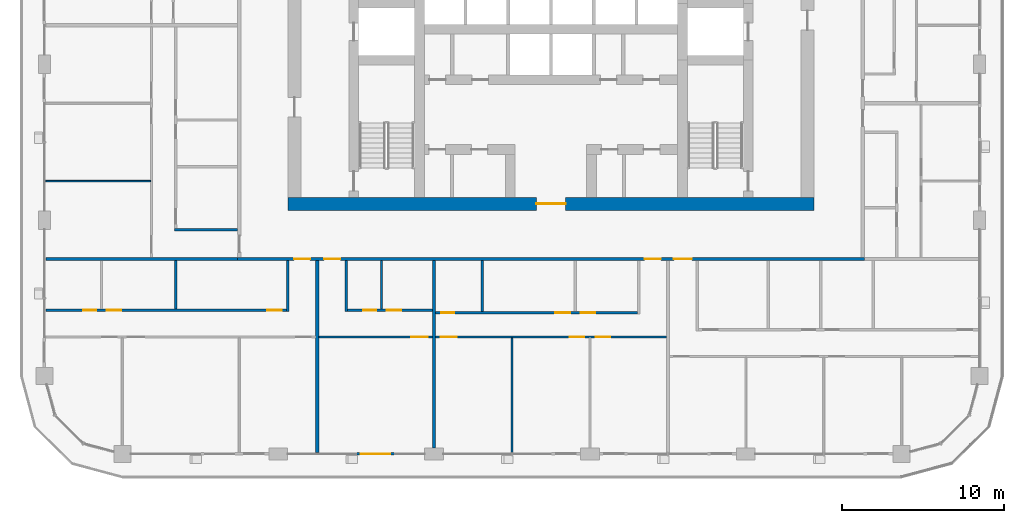
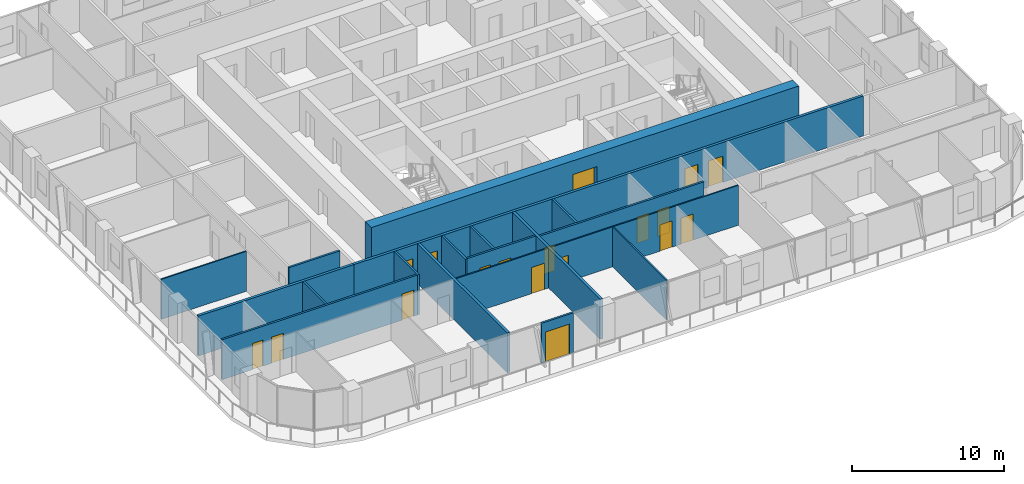
# One storey, part 9 of 22: 19 walls, 18 doors, 18 openings.
"""IFC4 building model written with IfcOpenShell, lengths in metres."""

import ifcopenshell
import ifcopenshell.guid

model = None  # the IFC model being written
_history = None  # IfcOwnerHistory: only IFC2X3 demands one
_inside = {}  # id of a spatial element -> (the spatial element, [elements in it])
_under = {}  # id of a project, library or spatial element -> (it, [spatial elements below it])
_declared = {}  # id of a project -> (the project, [libraries it declares])
_typed = {}  # id of a type object -> (the type object, [elements of that type])
_made_of = {}  # id of a material, layer set ... -> (it, [elements and type objects made of it])


def new_model(schema):
    """Start an empty IFC model of exactly this schema.

    Asked for "IFC4X3", IfcOpenShell would pick the latest addendum, in which some entities
    have other attributes; the version numbers below select the first issue.
    IFC2X3 requires an IfcOwnerHistory on every rooted entity: one is made here for all.
    """
    global model, _history
    if schema == "IFC4X3":
        model = ifcopenshell.file(schema_version=(4, 3, 0, 0))
    else:
        model = ifcopenshell.file(schema=schema)
    _inside.clear()
    _under.clear()
    _declared.clear()
    _typed.clear()
    _made_of.clear()
    _history = None
    if model.schema == "IFC2X3":
        org = make("IfcOrganization", Name="unknown")
        user = make(
            "IfcPersonAndOrganization",
            ThePerson=make("IfcPerson", FamilyName="unknown"),
            TheOrganization=org,
        )
        app = make(
            "IfcApplication",
            ApplicationDeveloper=org,
            Version="unknown",
            ApplicationFullName="unknown",
            ApplicationIdentifier="unknown",
        )
        _history = make(
            "IfcOwnerHistory",
            OwningUser=user,
            OwningApplication=app,
            ChangeAction="ADDED",
            CreationDate=0,
        )
    return model


def make(cls, **values):
    """One entity of the class cls with the attributes given. An attribute that is None is left unset."""
    return model.create_entity(
        cls, **{name: value for name, value in values.items() if value is not None}
    )


def rooted(cls, **values):
    """An entity with a GlobalId (a new one), such as an element, a storey or a relation."""
    return make(cls, GlobalId=ifcopenshell.guid.new(), OwnerHistory=_history, **values)


def si_unit(unit_type, name, prefix=None):
    """IfcSIUnit, for example si_unit("LENGTHUNIT", "METRE", prefix="MILLI")."""
    return make("IfcSIUnit", UnitType=unit_type, Prefix=prefix, Name=name)


def assignment(units):
    """IfcUnitAssignment: the units of a project."""
    return None if units is None else make("IfcUnitAssignment", Units=units)


def point(xyz):
    """IfcCartesianPoint."""
    return None if xyz is None else make("IfcCartesianPoint", Coordinates=xyz)


def direction(xyz):
    """IfcDirection."""
    return None if xyz is None else make("IfcDirection", DirectionRatios=xyz)


def frame(location, z_axis=None, x_axis=None):
    """IfcAxis2Placement3D, a coordinate frame: its origin and axes. An axis left out is left unset."""
    return make(
        "IfcAxis2Placement3D",
        Location=point(location),
        Axis=direction(z_axis),
        RefDirection=direction(x_axis),
    )


def frame_2d(location, x_axis=None):
    """IfcAxis2Placement2D, a coordinate frame in the plane: its origin and x axis."""
    return make(
        "IfcAxis2Placement2D", Location=point(location), RefDirection=direction(x_axis)
    )


def origin():
    """The frame at (0, 0, 0) with its axes left unset."""
    return frame((0.0, 0.0, 0.0))


def place(relative_to, where):
    """IfcLocalPlacement: puts the frame where relative to a parent placement (None: the world)."""
    return make(
        "IfcLocalPlacement", PlacementRelTo=relative_to, RelativePlacement=where
    )


def context(
    kind, dimensions, precision=None, world=None, true_north=None, identifier=None
):
    """IfcGeometricRepresentationContext, for example the 3D "Model" context."""
    return make(
        "IfcGeometricRepresentationContext",
        ContextIdentifier=identifier,
        ContextType=kind,
        CoordinateSpaceDimension=dimensions,
        Precision=precision,
        WorldCoordinateSystem=world,
        TrueNorth=true_north,
    )


def subcontext(parent, identifier, kind, view, scale=None):
    """IfcGeometricRepresentationSubContext, for example "Body" below "Model"."""
    return make(
        "IfcGeometricRepresentationSubContext",
        ContextIdentifier=identifier,
        ContextType=kind,
        ParentContext=parent,
        TargetScale=scale,
        TargetView=view,
    )


def project(units=None, contexts=None):
    """IfcProject with its units and contexts."""
    return rooted(
        "IfcProject",
        Name="project",
        RepresentationContexts=contexts,
        UnitsInContext=assignment(units),
    )


def spatial(cls, under=None, at=None, **own):
    """A site, building, storey or space (cls), placed at a placement, below another one or the project."""
    s = rooted(cls, ObjectPlacement=at, **own)
    if under is not None:
        _under.setdefault(under.id(), (under, []))[1].append(s)
    return s


def profile(cls, at=None, kind="AREA", **sizes):
    """A parametric profile (cls). Its sizes go by their IFC names, for example OverallWidth=200.0."""
    return make(cls, ProfileType=kind, Position=at, **sizes)


def rectangle(**sizes):
    """IfcRectangleProfileDef."""
    return profile("IfcRectangleProfileDef", **sizes)


def extrude(swept, where, along, depth):
    """IfcExtrudedAreaSolid: the profile swept, set in the frame where, extruded along a direction by depth."""
    return make(
        "IfcExtrudedAreaSolid",
        SweptArea=swept,
        Position=where,
        ExtrudedDirection=direction(along),
        Depth=depth,
    )


def shape(context_of_items, identifier, shape_type, items):
    """IfcShapeRepresentation: the items that make up one representation, for example the "Body"."""
    return make(
        "IfcShapeRepresentation",
        ContextOfItems=context_of_items,
        RepresentationIdentifier=identifier,
        RepresentationType=shape_type,
        Items=items,
    )


def material(Name=None, Category=None):
    """IfcMaterial."""
    return make("IfcMaterial", Name=Name, Category=Category)


def layer(
    of_material, thickness, ventilated=None, Name=None, Category=None, Priority=None
):
    """IfcMaterialLayer: one layer of a wall or slab, of a material (None: an air gap)."""
    return make(
        "IfcMaterialLayer",
        Material=of_material,
        LayerThickness=thickness,
        IsVentilated=ventilated,
        Name=Name,
        Category=Category,
        Priority=Priority,
    )


def layer_set(layers, Name=None):
    """IfcMaterialLayerSet."""
    return make("IfcMaterialLayerSet", MaterialLayers=layers, LayerSetName=Name)


def made_of(thing, what):
    """Note that an element or type object is made of a material, layer set ...; save() writes the relation."""
    if what is not None:
        _made_of.setdefault(what.id(), (what, []))[1].append(thing)
    return thing


def type_object(cls, material=None, **own):
    """A type object (cls), such as IfcWallType, which elements share."""
    return made_of(rooted(cls, **own), material)


def element(
    cls,
    number,
    at=None,
    inside=None,
    cuts=None,
    type_object=None,
    material=None,
    context=None,
    identifier="Body",
    shape_type=None,
    held_by="IfcProductDefinitionShape",
    body=None,
    shapes=None,
    **own,
):
    """One element of the class cls, such as IfcWall. Its Tag is "e" and its number.

    at: its placement. inside: the storey or other place that contains it. cuts: it is an
    opening in that element (IfcRelVoidsElement). A single representation is given by context,
    identifier, shape_type and body (its items); several are given by shapes. held_by: the class
    of the entity that holds the representations. save() writes the other relations.
    """
    e = rooted(cls, Tag="e%d" % number, ObjectPlacement=at, **own)
    if body is not None:
        shapes = [shape(context, identifier, shape_type, body)]
    if shapes is not None:
        e.Representation = make(held_by, Representations=shapes)
    if inside is not None:
        _inside.setdefault(inside.id(), (inside, []))[1].append(e)
    if cuts is not None:
        rooted(
            "IfcRelVoidsElement", RelatingBuildingElement=cuts, RelatedOpeningElement=e
        )
    if type_object is not None:
        _typed.setdefault(type_object.id(), (type_object, []))[1].append(e)
    return made_of(e, material)


def fill(opening, filler):
    """IfcRelFillsElement: the door or window that sits in an opening."""
    return rooted(
        "IfcRelFillsElement",
        RelatingOpeningElement=opening,
        RelatedBuildingElement=filler,
    )


def aggregate(whole, parts):
    """IfcRelAggregates: a whole, such as a stair, and the parts it consists of."""
    return rooted("IfcRelAggregates", RelatingObject=whole, RelatedObjects=parts)


def save(model, path):
    """Write the relations noted so far, then the file.

    IfcRelAggregates (storeys below a building ...), IfcRelContainedInSpatialStructure (elements
    in a storey), IfcRelDefinesByType, IfcRelAssociatesMaterial and IfcRelDeclares: one each for
    every whole, place, type object, material and project.
    """
    for whole, parts in _under.values():
        aggregate(whole, parts)
    for where, things in _inside.values():
        rooted(
            "IfcRelContainedInSpatialStructure",
            RelatedElements=things,
            RelatingStructure=where,
        )
    for kind, things in _typed.values():
        rooted("IfcRelDefinesByType", RelatedObjects=things, RelatingType=kind)
    for what, things in _made_of.values():
        rooted("IfcRelAssociatesMaterial", RelatedObjects=things, RelatingMaterial=what)
    for by, libraries in _declared.values():
        rooted("IfcRelDeclares", RelatingContext=by, RelatedDefinitions=libraries)
    model.write(path)


model = new_model("IFC4")

# Units and contexts
model_context = context("Model", 3, precision=1e-05, world=origin(), true_north=direction((0.0, 1.0)))
body_context = subcontext(model_context, "Body", "Model", "MODEL_VIEW")
ifc_project = project(units=[si_unit("LENGTHUNIT", "METRE"), si_unit("AREAUNIT", "SQUARE_METRE"), si_unit("VOLUMEUNIT", "CUBIC_METRE"), si_unit("PLANEANGLEUNIT", "RADIAN"), si_unit("MASSUNIT", "GRAM", prefix="KILO")], contexts=[model_context])

# Site, building, storey
site_placement = place(None, origin())
site = spatial("IfcSite", under=ifc_project, at=site_placement, CompositionType="ELEMENT")
building_placement = place(site_placement, origin())
building = spatial("IfcBuilding", under=site, at=building_placement, Name="Madar Terraces", CompositionType="ELEMENT")
storey_placement = place(building_placement, frame((0.0, 0.0, 166.5)))
storey = spatial("IfcBuildingStorey", under=building, at=storey_placement, Name="L43", CompositionType="ELEMENT", Elevation=166.5)

# Wall, opening, door
ifc_material_1 = material(Name="Concrete C70/85", Category="concrete")
ifc_layer_1 = layer(ifc_material_1, 0.800048828125)
ifc_layer_set_1 = layer_set([ifc_layer_1], Name="Concrete C70/85 (CRW3 RC wall 800)")
wall_type_1 = type_object("IfcWallType", Name="CRW3 RC wall 800", PredefinedType="SHEAR", material=ifc_layer_set_1)
wall_1_placement = place(storey_placement, frame((15.0, 15.39990234375, 0.0), z_axis=(0.0, 0.0, 1.0), x_axis=(1.0, 0.0, 0.0)))
wall_1 = element("IfcWall", 1, at=wall_1_placement, inside=storey, type_object=wall_type_1, Name="CORE OUTER WALL", PredefinedType="SHEAR", context=body_context, shape_type="SweptSolid", body=[
    extrude(rectangle(XDim=32.39990234375, YDim=0.800048828125, at=frame_2d((16.199951171875, 0.0))), origin(), (0.0, 0.0, 1.0), 3.199951171875),
])
opening_1_placement = place(wall_1_placement, frame((15.300048828125, 0.0, 0.0)))
opening_1 = element("IfcOpeningElement", 2, at=opening_1_placement, cuts=wall_1, Name="Opening KD1", PredefinedType="OPENING", context=body_context, shape_type="SweptSolid", body=[
    extrude(rectangle(XDim=1.800048828125, YDim=2.10009765625, at=frame_2d((0.89990234375, 1.050048828125))), frame((0.0, 0.409912109375, 0.0), z_axis=(0.0, -1.0, 0.0), x_axis=(1.0, 0.0, 0.0)), (0.0, 0.0, 1.0), 0.820068359375),
])
ifc_material_2 = material(Name="Steel door leaf", Category="steel")
door_type_1 = type_object("IfcDoorType", Name="Lobby door pair 1800 x 2100", OperationType="DOUBLE_DOOR_SINGLE_SWING", PredefinedType="DOOR", material=ifc_material_2)
door_1_placement = place(opening_1_placement, frame((1.800048828125, 0.0, 0.0), z_axis=(0.0, 0.0, 1.0), x_axis=(-1.0, 0.0, 0.0)))
door_1 = element("IfcDoor", 3, at=door_1_placement, inside=storey, type_object=door_type_1, Name="LIFT LOBBY DOOR", OperationType="DOUBLE_DOOR_SINGLE_SWING", OverallHeight=2.10009765625, OverallWidth=1.800048828125, PredefinedType="DOOR", context=body_context, shape_type="SweptSolid", body=[
    extrude(rectangle(XDim=1.800048828125, YDim=2.10009765625, at=frame_2d((0.89990234375, 1.050048828125))), frame((0.0, 0.02490234375, 0.0), z_axis=(0.0, -1.0, 0.0), x_axis=(1.0, 0.0, 0.0)), (0.0, 0.0, 1.0), 0.050048828125),
])
fill(opening_1, door_1)

ifc_material_3 = material(Name="Aluminium composite panel, black, over insulated backing", Category="aluminium")
ifc_layer_2 = layer(ifc_material_3, 0.14990234375)
ifc_layer_set_2 = layer_set([ifc_layer_2], Name="Facade bay panel 150")
wall_type_2 = type_object("IfcWallType", Name="Facade bay panel 150", PredefinedType="SOLIDWALL", material=ifc_layer_set_2)
wall_2_placement = place(storey_placement, frame((19.199951171875, 0.0, 0.0), z_axis=(0.0, 0.0, 1.0), x_axis=(1.0, 0.0, 0.0)))
wall_2 = element("IfcWall", 4, at=wall_2_placement, inside=storey, type_object=wall_type_2, Name="Facade bay panel", PredefinedType="SOLIDWALL", context=body_context, shape_type="SweptSolid", body=[
    extrude(rectangle(XDim=2.400146484375, YDim=0.14990234375, at=frame_2d((1.2001953125, 0.0))), origin(), (0.0, 0.0, 1.0), 3.199951171875),
])
opening_2_placement = place(wall_2_placement, frame((0.300048828125, 0.0, 0.0)))
opening_2 = element("IfcOpeningElement", 5, at=opening_2_placement, cuts=wall_2, Name="Opening ED1", PredefinedType="OPENING", context=body_context, shape_type="SweptSolid", body=[
    extrude(rectangle(XDim=1.800048828125, YDim=2.39990234375, at=frame_2d((0.89990234375, 1.199951171875))), frame((0.0, 0.0849609375, 0.0), z_axis=(0.0, -1.0, 0.0), x_axis=(1.0, 0.0, 0.0)), (0.0, 0.0, 1.0), 0.169921875),
])
ifc_material_4 = material(Name="Glass, clear, with black aluminium frame", Category="aluminium")
door_type_2 = type_object("IfcDoorType", Name="Balcony and terrace sliding door 1800 x 2400", OperationType="SLIDING_TO_LEFT", PredefinedType="DOOR", material=ifc_material_4)
door_2_placement = place(opening_2_placement, origin())
door_2 = element("IfcDoor", 6, at=door_2_placement, inside=storey, type_object=door_type_2, Name="Balcony door", OperationType="SLIDING_TO_RIGHT", OverallHeight=2.39990234375, OverallWidth=1.800048828125, PredefinedType="DOOR", context=body_context, shape_type="SweptSolid", body=[
    extrude(rectangle(XDim=1.800048828125, YDim=2.39990234375, at=frame_2d((0.89990234375, 1.199951171875))), frame((0.0, 0.02490234375, 0.0), z_axis=(0.0, -1.0, 0.0), x_axis=(1.0, 0.0, 0.0)), (0.0, 0.0, 1.0), 0.050048828125),
])
fill(opening_2, door_2)

ifc_material_5 = material(Name="Gypsum board on steel studs", Category="steel")
ifc_layer_3 = layer(ifc_material_5, 0.10009765625)
ifc_layer_set_3 = layer_set([ifc_layer_3], Name="Flat partition 100")
wall_type_3 = type_object("IfcWallType", Name="Flat partition 100", PredefinedType="PARTITIONING", material=ifc_layer_set_3)
wall_3_placement = place(storey_placement, frame((23.89990234375, 7.199951171875, 0.0), z_axis=(0.0, 0.0, 1.0), x_axis=(-1.0, 0.0, 0.0)))
wall_3 = element("IfcWall", 7, at=wall_3_placement, inside=storey, type_object=wall_type_3, Name="Flat partition 100", PredefinedType="PARTITIONING", context=body_context, shape_type="SweptSolid", body=[
    extrude(rectangle(XDim=7.0, YDim=0.10009765625, at=frame_2d((3.5, 0.0))), origin(), (0.0, 0.0, 1.0), 3.199951171875),
])
opening_3_placement = place(wall_3_placement, frame((0.300048828125, 0.0, 0.0)))
opening_3 = element("IfcOpeningElement", 8, at=opening_3_placement, cuts=wall_3, Name="Opening D3", PredefinedType="OPENING", context=body_context, shape_type="SweptSolid", body=[
    extrude(rectangle(XDim=1.0, YDim=2.10009765625, at=frame_2d((0.5, 1.050048828125))), frame((0.0, 0.06005859375, 0.0), z_axis=(0.0, -1.0, 0.0), x_axis=(1.0, 0.0, 0.0)), (0.0, 0.0, 1.0), 0.1201171875),
])
ifc_material_6 = material(Name="Timber door leaf", Category="wood")
door_type_3 = type_object("IfcDoorType", Name="Flat living room door 1000", OperationType="NOTDEFINED", PredefinedType="DOOR", material=ifc_material_6)
door_3_placement = place(opening_3_placement, origin())
door_3 = element("IfcDoor", 9, at=door_3_placement, inside=storey, type_object=door_type_3, Name="Flat living room door 1000", OperationType="SINGLE_SWING_LEFT", OverallHeight=2.10009765625, OverallWidth=1.0, PredefinedType="DOOR", context=body_context, shape_type="SweptSolid", body=[
    extrude(rectangle(XDim=1.0, YDim=2.10009765625, at=frame_2d((0.5, 1.050048828125))), frame((0.0, 0.02490234375, 0.0), z_axis=(0.0, -1.0, 0.0), x_axis=(1.0, 0.0, 0.0)), (0.0, 0.0, 1.0), 0.050048828125),
])
fill(opening_3, door_3)

# Wall
wall_4_placement = place(storey_placement, frame((28.800048828125, 7.14990234375, 0.0), z_axis=(0.0, 0.0, 1.0), x_axis=(0.0, -1.0, 0.0)))
element("IfcWall", 10, at=wall_4_placement, inside=storey, type_object=wall_type_3, Name="Flat partition 100", PredefinedType="PARTITIONING", context=body_context, shape_type="SweptSolid", body=[
    extrude(rectangle(XDim=7.0498046875, YDim=0.10009765625, at=frame_2d((3.52490234375, 0.0))), origin(), (0.0, 0.0, 1.0), 3.199951171875),
])

# Wall, openings, doors
wall_5_placement = place(storey_placement, frame((38.300048828125, 7.199951171875, 0.0), z_axis=(0.0, 0.0, 1.0), x_axis=(-1.0, 0.0, 0.0)))
wall_5 = element("IfcWall", 11, at=wall_5_placement, inside=storey, type_object=wall_type_3, Name="Flat partition 100", PredefinedType="PARTITIONING", context=body_context, shape_type="SweptSolid", body=[
    extrude(rectangle(XDim=14.199951171875, YDim=0.10009765625, at=frame_2d((7.10009765625, 0.0))), origin(), (0.0, 0.0, 1.0), 3.199951171875),
])
opening_4_placement = place(wall_5_placement, frame((3.449951171875, 0.0, 0.0)))
opening_4 = element("IfcOpeningElement", 12, at=opening_4_placement, cuts=wall_5, Name="Opening D2", PredefinedType="OPENING", context=body_context, shape_type="SweptSolid", body=[
    extrude(rectangle(XDim=0.89990234375, YDim=2.10009765625, at=frame_2d((0.449951171875, 1.050048828125))), frame((0.0, 0.06005859375, 0.0), z_axis=(0.0, -1.0, 0.0), x_axis=(1.0, 0.0, 0.0)), (0.0, 0.0, 1.0), 0.1201171875),
])
opening_5_placement = place(wall_5_placement, frame((5.050048828125, 0.0, 0.0)))
opening_5 = element("IfcOpeningElement", 13, at=opening_5_placement, cuts=wall_5, Name="Opening D2", PredefinedType="OPENING", context=body_context, shape_type="SweptSolid", body=[
    extrude(rectangle(XDim=0.89990234375, YDim=2.10009765625, at=frame_2d((0.449951171875, 1.050048828125))), frame((0.0, 0.06005859375, 0.0), z_axis=(0.0, -1.0, 0.0), x_axis=(1.0, 0.0, 0.0)), (0.0, 0.0, 1.0), 0.1201171875),
])
opening_6_placement = place(wall_5_placement, frame((12.89990234375, 0.0, 0.0)))
opening_6 = element("IfcOpeningElement", 14, at=opening_6_placement, cuts=wall_5, Name="Opening D3", PredefinedType="OPENING", context=body_context, shape_type="SweptSolid", body=[
    extrude(rectangle(XDim=1.0, YDim=2.10009765625, at=frame_2d((0.5, 1.050048828125))), frame((0.0, 0.06005859375, 0.0), z_axis=(0.0, -1.0, 0.0), x_axis=(1.0, 0.0, 0.0)), (0.0, 0.0, 1.0), 0.1201171875),
])
door_4_placement = place(opening_6_placement, origin())
door_4 = element("IfcDoor", 15, at=door_4_placement, inside=storey, type_object=door_type_3, Name="Flat living room door 1000", OperationType="SINGLE_SWING_RIGHT", OverallHeight=2.10009765625, OverallWidth=1.0, PredefinedType="DOOR", context=body_context, shape_type="SweptSolid", body=[
    extrude(rectangle(XDim=1.0, YDim=2.10009765625, at=frame_2d((0.5, 1.050048828125))), frame((0.0, 0.02490234375, 0.0), z_axis=(0.0, -1.0, 0.0), x_axis=(1.0, 0.0, 0.0)), (0.0, 0.0, 1.0), 0.050048828125),
])
fill(opening_6, door_4)
ifc_material_7 = material(Name="Timber door leaf", Category="wood")
door_type_4 = type_object("IfcDoorType", Name="Flat room door 900", OperationType="NOTDEFINED", PredefinedType="DOOR", material=ifc_material_7)
door_5_placement = place(opening_4_placement, origin())
door_5 = element("IfcDoor", 16, at=door_5_placement, inside=storey, type_object=door_type_4, Name="Flat room door 900", OperationType="SINGLE_SWING_RIGHT", OverallHeight=2.10009765625, OverallWidth=0.89990234375, PredefinedType="DOOR", context=body_context, shape_type="SweptSolid", body=[
    extrude(rectangle(XDim=0.89990234375, YDim=2.10009765625, at=frame_2d((0.449951171875, 1.050048828125))), frame((0.0, 0.02490234375, 0.0), z_axis=(0.0, -1.0, 0.0), x_axis=(1.0, 0.0, 0.0)), (0.0, 0.0, 1.0), 0.050048828125),
])
fill(opening_4, door_5)
door_6_placement = place(opening_5_placement, origin())
door_6 = element("IfcDoor", 17, at=door_6_placement, inside=storey, type_object=door_type_4, Name="Flat room door 900", OperationType="SINGLE_SWING_LEFT", OverallHeight=2.10009765625, OverallWidth=0.89990234375, PredefinedType="DOOR", context=body_context, shape_type="SweptSolid", body=[
    extrude(rectangle(XDim=0.89990234375, YDim=2.10009765625, at=frame_2d((0.449951171875, 1.050048828125))), frame((0.0, 0.02490234375, 0.0), z_axis=(0.0, -1.0, 0.0), x_axis=(1.0, 0.0, 0.0)), (0.0, 0.0, 1.0), 0.050048828125),
])
fill(opening_5, door_6)

# Wall
wall_6_placement = place(storey_placement, frame((6.550048828125, 16.800048828125, 0.0), z_axis=(0.0, 0.0, 1.0), x_axis=(-1.0, 0.0, 0.0)))
element("IfcWall", 18, at=wall_6_placement, inside=storey, type_object=wall_type_3, Name="Flat partition 100", PredefinedType="PARTITIONING", context=body_context, shape_type="SweptSolid", body=[
    extrude(rectangle(XDim=6.449951171875, YDim=0.10009765625, at=frame_2d((3.22509765625, 0.0))), origin(), (0.0, 0.0, 1.0), 3.199951171875),
])

# Wall, openings, doors
ifc_material_8 = material(Name="Lightweight blockwork", Category="masonry")
ifc_layer_4 = layer(ifc_material_8, 0.199951171875)
ifc_layer_set_4 = layer_set([ifc_layer_4], Name="Flat party and entrance wall 200")
wall_type_4 = type_object("IfcWallType", Name="Flat party and entrance wall 200", PredefinedType="PARTITIONING", material=ifc_layer_set_4)
wall_7_placement = place(storey_placement, frame((50.5, 12.0, 0.0), z_axis=(0.0, 0.0, 1.0), x_axis=(-1.0, 0.0, 0.0)))
wall_7 = element("IfcWall", 19, at=wall_7_placement, inside=storey, type_object=wall_type_4, Name="Flat party and entrance wall 200", PredefinedType="PARTITIONING", context=body_context, shape_type="SweptSolid", body=[
    extrude(rectangle(XDim=38.60009765625, YDim=0.199951171875, at=frame_2d((19.300048828125, 0.0))), origin(), (0.0, 0.0, 1.0), 3.199951171875),
])
opening_7_placement = place(wall_7_placement, frame((34.125, 0.0, 0.0)))
opening_7 = element("IfcOpeningElement", 20, at=opening_7_placement, cuts=wall_7, Name="Opening D1", PredefinedType="OPENING", context=body_context, shape_type="SweptSolid", body=[
    extrude(rectangle(XDim=1.0, YDim=2.10009765625, at=frame_2d((0.5, 1.050048828125))), frame((0.0, 0.10986328125, 0.0), z_axis=(0.0, -1.0, 0.0), x_axis=(1.0, 0.0, 0.0)), (0.0, 0.0, 1.0), 0.219970703125),
])
opening_8_placement = place(wall_7_placement, frame((32.27490234375, 0.0, 0.0)))
opening_8 = element("IfcOpeningElement", 21, at=opening_8_placement, cuts=wall_7, Name="Opening D1", PredefinedType="OPENING", context=body_context, shape_type="SweptSolid", body=[
    extrude(rectangle(XDim=1.0, YDim=2.10009765625, at=frame_2d((0.5, 1.050048828125))), frame((0.0, 0.10986328125, 0.0), z_axis=(0.0, -1.0, 0.0), x_axis=(1.0, 0.0, 0.0)), (0.0, 0.0, 1.0), 0.219970703125),
])
opening_9_placement = place(wall_7_placement, frame((12.52490234375, 0.0, 0.0)))
opening_9 = element("IfcOpeningElement", 22, at=opening_9_placement, cuts=wall_7, Name="Opening D1", PredefinedType="OPENING", context=body_context, shape_type="SweptSolid", body=[
    extrude(rectangle(XDim=1.0, YDim=2.10009765625, at=frame_2d((0.5, 1.050048828125))), frame((0.0, 0.10986328125, 0.0), z_axis=(0.0, -1.0, 0.0), x_axis=(1.0, 0.0, 0.0)), (0.0, 0.0, 1.0), 0.219970703125),
])
opening_10_placement = place(wall_7_placement, frame((10.625, 0.0, 0.0)))
opening_10 = element("IfcOpeningElement", 23, at=opening_10_placement, cuts=wall_7, Name="Opening D6", PredefinedType="OPENING", context=body_context, shape_type="SweptSolid", body=[
    extrude(rectangle(XDim=1.10009765625, YDim=2.10009765625, at=frame_2d((0.550048828125, 1.050048828125))), frame((0.0, 0.10986328125, 0.0), z_axis=(0.0, -1.0, 0.0), x_axis=(1.0, 0.0, 0.0)), (0.0, 0.0, 1.0), 0.219970703125),
])
ifc_material_9 = material(Name="Timber fire door leaf", Category="wood")
door_type_5 = type_object("IfcDoorType", Name="Flat entrance door 1000 FD30S", OperationType="NOTDEFINED", PredefinedType="DOOR", material=ifc_material_9)
door_7_placement = place(opening_7_placement, origin())
door_7 = element("IfcDoor", 24, at=door_7_placement, inside=storey, type_object=door_type_5, Name="Flat entrance door 1000 FD30S", OperationType="SINGLE_SWING_LEFT", OverallHeight=2.10009765625, OverallWidth=1.0, PredefinedType="DOOR", context=body_context, shape_type="SweptSolid", body=[
    extrude(rectangle(XDim=1.0, YDim=2.10009765625, at=frame_2d((0.5, 1.050048828125))), frame((0.0, 0.02490234375, 0.0), z_axis=(0.0, -1.0, 0.0), x_axis=(1.0, 0.0, 0.0)), (0.0, 0.0, 1.0), 0.050048828125),
])
fill(opening_7, door_7)
door_8_placement = place(opening_8_placement, origin())
door_8 = element("IfcDoor", 25, at=door_8_placement, inside=storey, type_object=door_type_5, Name="Flat entrance door 1000 FD30S", OperationType="SINGLE_SWING_RIGHT", OverallHeight=2.10009765625, OverallWidth=1.0, PredefinedType="DOOR", context=body_context, shape_type="SweptSolid", body=[
    extrude(rectangle(XDim=1.0, YDim=2.10009765625, at=frame_2d((0.5, 1.050048828125))), frame((0.0, 0.02490234375, 0.0), z_axis=(0.0, -1.0, 0.0), x_axis=(1.0, 0.0, 0.0)), (0.0, 0.0, 1.0), 0.050048828125),
])
fill(opening_8, door_8)
door_9_placement = place(opening_9_placement, origin())
door_9 = element("IfcDoor", 26, at=door_9_placement, inside=storey, type_object=door_type_5, Name="Flat entrance door 1000 FD30S", OperationType="SINGLE_SWING_LEFT", OverallHeight=2.10009765625, OverallWidth=1.0, PredefinedType="DOOR", context=body_context, shape_type="SweptSolid", body=[
    extrude(rectangle(XDim=1.0, YDim=2.10009765625, at=frame_2d((0.5, 1.050048828125))), frame((0.0, 0.02490234375, 0.0), z_axis=(0.0, -1.0, 0.0), x_axis=(1.0, 0.0, 0.0)), (0.0, 0.0, 1.0), 0.050048828125),
])
fill(opening_9, door_9)
ifc_material_10 = material(Name="Timber fire door leaf", Category="wood")
door_type_6 = type_object("IfcDoorType", Name="Flat entrance door 1100 FD30S", OperationType="NOTDEFINED", PredefinedType="DOOR", material=ifc_material_10)
door_10_placement = place(opening_10_placement, origin())
door_10 = element("IfcDoor", 27, at=door_10_placement, inside=storey, type_object=door_type_6, Name="Flat entrance door 1100 FD30S", OperationType="SINGLE_SWING_RIGHT", OverallHeight=2.10009765625, OverallWidth=1.10009765625, PredefinedType="DOOR", context=body_context, shape_type="SweptSolid", body=[
    extrude(rectangle(XDim=1.10009765625, YDim=2.10009765625, at=frame_2d((0.550048828125, 1.050048828125))), frame((0.0, 0.02490234375, 0.0), z_axis=(0.0, -1.0, 0.0), x_axis=(1.0, 0.0, 0.0)), (0.0, 0.0, 1.0), 0.050048828125),
])
fill(opening_10, door_10)

# Walls
for number, where, z_axis, x_axis, name in (
    (28, (16.800048828125, 11.89990234375, 0.0), (0.0, 0.0, 1.0), (0.0, -1.0, 0.0), "Flat party and entrance wall 200"),
    (29, (0.10009765625, 12.0, 0.0), (0.0, 0.0, 1.0), (1.0, 0.0, 0.0), "Flat party and entrance wall 200"),
):
    element("IfcWall", number, at=place(storey_placement, frame(where, z_axis=z_axis, x_axis=x_axis)), inside=storey, type_object=wall_type_4, Name=name, PredefinedType="PARTITIONING", context=body_context, shape_type="SweptSolid", body=[
        extrude(rectangle(XDim=11.7998046875, YDim=0.199951171875, at=frame_2d((5.89990234375, 0.0))), origin(), (0.0, 0.0, 1.0), 3.199951171875),
    ])
wall_8_placement = place(storey_placement, frame((24.0, 11.89990234375, 0.0), z_axis=(0.0, 0.0, 1.0), x_axis=(0.0, -1.0, 0.0)))
element("IfcWall", 30, at=wall_8_placement, inside=storey, type_object=wall_type_4, Name="Flat party and entrance wall 200", PredefinedType="PARTITIONING", context=body_context, shape_type="SweptSolid", body=[
    extrude(rectangle(XDim=11.52490234375, YDim=0.199951171875, at=frame_2d((5.762451171875, 0.0))), origin(), (0.0, 0.0, 1.0), 3.199951171875),
])
ifc_material_11 = material(Name="Lightweight blockwork", Category="masonry")
ifc_layer_5 = layer(ifc_material_11, 0.14990234375)
ifc_layer_set_5 = layer_set([ifc_layer_5], Name="Flat wet-room partition 150")
wall_type_5 = type_object("IfcWallType", Name="Flat wet-room partition 150", PredefinedType="PARTITIONING", material=ifc_layer_set_5)
wall_9_placement = place(storey_placement, frame((8.082763671875, 11.89990234375, 0.0), z_axis=(0.0, 0.0, 1.0), x_axis=(0.0, -1.0, 0.0)))
element("IfcWall", 31, at=wall_9_placement, inside=storey, type_object=wall_type_5, Name="Flat wet-room partition 150", PredefinedType="PARTITIONING", context=body_context, shape_type="SweptSolid", body=[
    extrude(rectangle(XDim=2.974853515625, YDim=0.14990234375, at=frame_2d((1.4873046875, 0.0))), origin(), (0.0, 0.0, 1.0), 3.199951171875),
])
wall_10_placement = place(storey_placement, frame((15.0, 11.89990234375, 0.0), z_axis=(0.0, 0.0, 1.0), x_axis=(0.0, -1.0, 0.0)))
element("IfcWall", 32, at=wall_10_placement, inside=storey, type_object=wall_type_5, Name="Flat wet-room partition 150", PredefinedType="PARTITIONING", context=body_context, shape_type="SweptSolid", body=[
    extrude(rectangle(XDim=3.125, YDim=0.14990234375, at=frame_2d((1.5625, 0.0))), origin(), (0.0, 0.0, 1.0), 3.199951171875),
])

# Wall, openings, doors
wall_11_placement = place(storey_placement, frame((0.10009765625, 8.85009765625, 0.0), z_axis=(0.0, 0.0, 1.0), x_axis=(1.0, 0.0, 0.0)))
wall_11 = element("IfcWall", 33, at=wall_11_placement, inside=storey, type_object=wall_type_5, Name="Flat wet-room partition 150", PredefinedType="PARTITIONING", context=body_context, shape_type="SweptSolid", body=[
    extrude(rectangle(XDim=14.824951171875, YDim=0.14990234375, at=frame_2d((7.41259765625, 0.0))), origin(), (0.0, 0.0, 1.0), 3.199951171875),
])
opening_11_placement = place(wall_11_placement, frame((13.625, 0.0, 0.0)))
opening_11 = element("IfcOpeningElement", 34, at=opening_11_placement, cuts=wall_11, Name="Opening D2", PredefinedType="OPENING", context=body_context, shape_type="SweptSolid", body=[
    extrude(rectangle(XDim=0.89990234375, YDim=2.10009765625, at=frame_2d((0.449951171875, 1.050048828125))), frame((0.0, 0.0849609375, 0.0), z_axis=(0.0, -1.0, 0.0), x_axis=(1.0, 0.0, 0.0)), (0.0, 0.0, 1.0), 0.169921875),
])
opening_12_placement = place(wall_11_placement, frame((3.74609375, 0.0, 0.0)))
opening_12 = element("IfcOpeningElement", 35, at=opening_12_placement, cuts=wall_11, Name="Opening D5", PredefinedType="OPENING", context=body_context, shape_type="SweptSolid", body=[
    extrude(rectangle(XDim=0.89990234375, YDim=2.10009765625, at=frame_2d((0.449951171875, 1.050048828125))), frame((0.0, 0.0849609375, 0.0), z_axis=(0.0, -1.0, 0.0), x_axis=(1.0, 0.0, 0.0)), (0.0, 0.0, 1.0), 0.169921875),
])
opening_13_placement = place(wall_11_placement, frame((2.296142578125, 0.0, 0.0)))
opening_13 = element("IfcOpeningElement", 36, at=opening_13_placement, cuts=wall_11, Name="Opening D4", PredefinedType="OPENING", context=body_context, shape_type="SweptSolid", body=[
    extrude(rectangle(XDim=0.800048828125, YDim=2.10009765625, at=frame_2d((0.39990234375, 1.050048828125))), frame((0.0, 0.0849609375, 0.0), z_axis=(0.0, -1.0, 0.0), x_axis=(1.0, 0.0, 0.0)), (0.0, 0.0, 1.0), 0.169921875),
])
ifc_material_12 = material(Name="Timber door leaf", Category="wood")
door_type_7 = type_object("IfcDoorType", Name="Flat accessible bathroom door 900", OperationType="NOTDEFINED", PredefinedType="DOOR", material=ifc_material_12)
door_11_placement = place(opening_12_placement, origin())
door_11 = element("IfcDoor", 37, at=door_11_placement, inside=storey, type_object=door_type_7, Name="Flat accessible bathroom door 900", OperationType="SINGLE_SWING_LEFT", OverallHeight=2.10009765625, OverallWidth=0.89990234375, PredefinedType="DOOR", context=body_context, shape_type="SweptSolid", body=[
    extrude(rectangle(XDim=0.89990234375, YDim=2.10009765625, at=frame_2d((0.449951171875, 1.050048828125))), frame((0.0, 0.02490234375, 0.0), z_axis=(0.0, -1.0, 0.0), x_axis=(1.0, 0.0, 0.0)), (0.0, 0.0, 1.0), 0.050048828125),
])
fill(opening_12, door_11)
ifc_material_13 = material(Name="Timber door leaf", Category="wood")
door_type_8 = type_object("IfcDoorType", Name="Flat bathroom door 800", OperationType="NOTDEFINED", PredefinedType="DOOR", material=ifc_material_13)
door_12_placement = place(opening_13_placement, origin())
door_12 = element("IfcDoor", 38, at=door_12_placement, inside=storey, type_object=door_type_8, Name="Flat bathroom door 800", OperationType="SINGLE_SWING_RIGHT", OverallHeight=2.10009765625, OverallWidth=0.800048828125, PredefinedType="DOOR", context=body_context, shape_type="SweptSolid", body=[
    extrude(rectangle(XDim=0.800048828125, YDim=2.10009765625, at=frame_2d((0.39990234375, 1.050048828125))), frame((0.0, 0.02490234375, 0.0), z_axis=(0.0, -1.0, 0.0), x_axis=(1.0, 0.0, 0.0)), (0.0, 0.0, 1.0), 0.050048828125),
])
fill(opening_13, door_12)
door_13_placement = place(opening_11_placement, origin())
door_13 = element("IfcDoor", 39, at=door_13_placement, inside=storey, type_object=door_type_4, Name="Flat room door 900", OperationType="SINGLE_SWING_RIGHT", OverallHeight=2.10009765625, OverallWidth=0.89990234375, PredefinedType="DOOR", context=body_context, shape_type="SweptSolid", body=[
    extrude(rectangle(XDim=0.89990234375, YDim=2.10009765625, at=frame_2d((0.449951171875, 1.050048828125))), frame((0.0, 0.02490234375, 0.0), z_axis=(0.0, -1.0, 0.0), x_axis=(1.0, 0.0, 0.0)), (0.0, 0.0, 1.0), 0.050048828125),
])
fill(opening_11, door_13)

# Walls
wall_12_placement = place(storey_placement, frame((20.764892578125, 11.89990234375, 0.0), z_axis=(0.0, 0.0, 1.0), x_axis=(0.0, -1.0, 0.0)))
element("IfcWall", 40, at=wall_12_placement, inside=storey, type_object=wall_type_5, Name="Flat wet-room partition 150", PredefinedType="PARTITIONING", context=body_context, shape_type="SweptSolid", body=[
    extrude(rectangle(XDim=2.974853515625, YDim=0.14990234375, at=frame_2d((1.4873046875, 0.0))), origin(), (0.0, 0.0, 1.0), 3.199951171875),
])
wall_13_placement = place(storey_placement, frame((18.60009765625, 11.89990234375, 0.0), z_axis=(0.0, 0.0, 1.0), x_axis=(0.0, -1.0, 0.0)))
element("IfcWall", 41, at=wall_13_placement, inside=storey, type_object=wall_type_5, Name="Flat wet-room partition 150", PredefinedType="PARTITIONING", context=body_context, shape_type="SweptSolid", body=[
    extrude(rectangle(XDim=3.125, YDim=0.14990234375, at=frame_2d((1.5625, 0.0))), origin(), (0.0, 0.0, 1.0), 3.199951171875),
])

# Wall, openings, doors
wall_14_placement = place(storey_placement, frame((18.675048828125, 8.85009765625, 0.0), z_axis=(0.0, 0.0, 1.0), x_axis=(1.0, 0.0, 0.0)))
wall_14 = element("IfcWall", 42, at=wall_14_placement, inside=storey, type_object=wall_type_5, Name="Flat wet-room partition 150", PredefinedType="PARTITIONING", context=body_context, shape_type="SweptSolid", body=[
    extrude(rectangle(XDim=5.224853515625, YDim=0.14990234375, at=frame_2d((2.6123046875, 0.0))), origin(), (0.0, 0.0, 1.0), 3.199951171875),
])
opening_14_placement = place(wall_14_placement, frame((0.965087890625, 0.0, 0.0)))
opening_14 = element("IfcOpeningElement", 43, at=opening_14_placement, cuts=wall_14, Name="Opening D4", PredefinedType="OPENING", context=body_context, shape_type="SweptSolid", body=[
    extrude(rectangle(XDim=0.800048828125, YDim=2.10009765625, at=frame_2d((0.39990234375, 1.050048828125))), frame((0.0, 0.0849609375, 0.0), z_axis=(0.0, -1.0, 0.0), x_axis=(1.0, 0.0, 0.0)), (0.0, 0.0, 1.0), 0.169921875),
])
opening_15_placement = place(wall_14_placement, frame((2.4150390625, 0.0, 0.0)))
opening_15 = element("IfcOpeningElement", 44, at=opening_15_placement, cuts=wall_14, Name="Opening D2", PredefinedType="OPENING", context=body_context, shape_type="SweptSolid", body=[
    extrude(rectangle(XDim=0.89990234375, YDim=2.10009765625, at=frame_2d((0.449951171875, 1.050048828125))), frame((0.0, 0.0849609375, 0.0), z_axis=(0.0, -1.0, 0.0), x_axis=(1.0, 0.0, 0.0)), (0.0, 0.0, 1.0), 0.169921875),
])
door_14_placement = place(opening_14_placement, origin())
door_14 = element("IfcDoor", 45, at=door_14_placement, inside=storey, type_object=door_type_8, Name="Flat bathroom door 800", OperationType="SINGLE_SWING_RIGHT", OverallHeight=2.10009765625, OverallWidth=0.800048828125, PredefinedType="DOOR", context=body_context, shape_type="SweptSolid", body=[
    extrude(rectangle(XDim=0.800048828125, YDim=2.10009765625, at=frame_2d((0.39990234375, 1.050048828125))), frame((0.0, 0.02490234375, 0.0), z_axis=(0.0, -1.0, 0.0), x_axis=(1.0, 0.0, 0.0)), (0.0, 0.0, 1.0), 0.050048828125),
])
fill(opening_14, door_14)
door_15_placement = place(opening_15_placement, origin())
door_15 = element("IfcDoor", 46, at=door_15_placement, inside=storey, type_object=door_type_4, Name="Flat room door 900", OperationType="SINGLE_SWING_LEFT", OverallHeight=2.10009765625, OverallWidth=0.89990234375, PredefinedType="DOOR", context=body_context, shape_type="SweptSolid", body=[
    extrude(rectangle(XDim=0.89990234375, YDim=2.10009765625, at=frame_2d((0.449951171875, 1.050048828125))), frame((0.0, 0.02490234375, 0.0), z_axis=(0.0, -1.0, 0.0), x_axis=(1.0, 0.0, 0.0)), (0.0, 0.0, 1.0), 0.050048828125),
])
fill(opening_15, door_15)

# Wall
wall_15_placement = place(storey_placement, frame((26.96728515625, 11.89990234375, 0.0), z_axis=(0.0, 0.0, 1.0), x_axis=(0.0, -1.0, 0.0)))
element("IfcWall", 47, at=wall_15_placement, inside=storey, type_object=wall_type_5, Name="Flat wet-room partition 150", PredefinedType="PARTITIONING", context=body_context, shape_type="SweptSolid", body=[
    extrude(rectangle(XDim=3.125, YDim=0.14990234375, at=frame_2d((1.5625, 0.0))), origin(), (0.0, 0.0, 1.0), 3.199951171875),
])

# Wall, openings, doors
wall_16_placement = place(storey_placement, frame((24.10009765625, 8.699951171875, 0.0), z_axis=(0.0, 0.0, 1.0), x_axis=(1.0, 0.0, 0.0)))
wall_16 = element("IfcWall", 48, at=wall_16_placement, inside=storey, type_object=wall_type_5, Name="Flat wet-room partition 150", PredefinedType="PARTITIONING", context=body_context, shape_type="SweptSolid", body=[
    extrude(rectangle(XDim=12.4248046875, YDim=0.14990234375, at=frame_2d((6.21240234375, 0.0))), origin(), (0.0, 0.0, 1.0), 3.199951171875),
])
opening_16_placement = place(wall_16_placement, frame((8.927001953125, 0.0, 0.0)))
opening_16 = element("IfcOpeningElement", 49, at=opening_16_placement, cuts=wall_16, Name="Opening D5", PredefinedType="OPENING", context=body_context, shape_type="SweptSolid", body=[
    extrude(rectangle(XDim=0.89990234375, YDim=2.10009765625, at=frame_2d((0.449951171875, 1.050048828125))), frame((0.0, 0.0849609375, 0.0), z_axis=(0.0, -1.0, 0.0), x_axis=(1.0, 0.0, 0.0)), (0.0, 0.0, 1.0), 0.169921875),
])
opening_17_placement = place(wall_16_placement, frame((7.376953125, 0.0, 0.0)))
opening_17 = element("IfcOpeningElement", 50, at=opening_17_placement, cuts=wall_16, Name="Opening D2", PredefinedType="OPENING", context=body_context, shape_type="SweptSolid", body=[
    extrude(rectangle(XDim=0.89990234375, YDim=2.10009765625, at=frame_2d((0.449951171875, 1.050048828125))), frame((0.0, 0.0849609375, 0.0), z_axis=(0.0, -1.0, 0.0), x_axis=(1.0, 0.0, 0.0)), (0.0, 0.0, 1.0), 0.169921875),
])
opening_18_placement = place(wall_16_placement, frame((0.35009765625, 0.0, 0.0)))
opening_18 = element("IfcOpeningElement", 51, at=opening_18_placement, cuts=wall_16, Name="Opening D4", PredefinedType="OPENING", context=body_context, shape_type="SweptSolid", body=[
    extrude(rectangle(XDim=0.800048828125, YDim=2.10009765625, at=frame_2d((0.39990234375, 1.050048828125))), frame((0.0, 0.0849609375, 0.0), z_axis=(0.0, -1.0, 0.0), x_axis=(1.0, 0.0, 0.0)), (0.0, 0.0, 1.0), 0.169921875),
])
door_16_placement = place(opening_16_placement, origin())
door_16 = element("IfcDoor", 52, at=door_16_placement, inside=storey, type_object=door_type_7, Name="Flat accessible bathroom door 900", OperationType="SINGLE_SWING_LEFT", OverallHeight=2.10009765625, OverallWidth=0.89990234375, PredefinedType="DOOR", context=body_context, shape_type="SweptSolid", body=[
    extrude(rectangle(XDim=0.89990234375, YDim=2.10009765625, at=frame_2d((0.449951171875, 1.050048828125))), frame((0.0, 0.02490234375, 0.0), z_axis=(0.0, -1.0, 0.0), x_axis=(1.0, 0.0, 0.0)), (0.0, 0.0, 1.0), 0.050048828125),
])
fill(opening_16, door_16)
door_17_placement = place(opening_18_placement, origin())
door_17 = element("IfcDoor", 53, at=door_17_placement, inside=storey, type_object=door_type_8, Name="Flat bathroom door 800", OperationType="SINGLE_SWING_LEFT", OverallHeight=2.10009765625, OverallWidth=0.800048828125, PredefinedType="DOOR", context=body_context, shape_type="SweptSolid", body=[
    extrude(rectangle(XDim=0.800048828125, YDim=2.10009765625, at=frame_2d((0.39990234375, 1.050048828125))), frame((0.0, 0.02490234375, 0.0), z_axis=(0.0, -1.0, 0.0), x_axis=(1.0, 0.0, 0.0)), (0.0, 0.0, 1.0), 0.050048828125),
])
fill(opening_18, door_17)
door_18_placement = place(opening_17_placement, origin())
door_18 = element("IfcDoor", 54, at=door_18_placement, inside=storey, type_object=door_type_4, Name="Flat room door 900", OperationType="SINGLE_SWING_RIGHT", OverallHeight=2.10009765625, OverallWidth=0.89990234375, PredefinedType="DOOR", context=body_context, shape_type="SweptSolid", body=[
    extrude(rectangle(XDim=0.89990234375, YDim=2.10009765625, at=frame_2d((0.449951171875, 1.050048828125))), frame((0.0, 0.02490234375, 0.0), z_axis=(0.0, -1.0, 0.0), x_axis=(1.0, 0.0, 0.0)), (0.0, 0.0, 1.0), 0.050048828125),
])
fill(opening_17, door_18)

# Wall
wall_17_placement = place(storey_placement, frame((11.89990234375, 13.800048828125, 0.0), z_axis=(0.0, 0.0, 1.0), x_axis=(-1.0, 0.0, 0.0)))
element("IfcWall", 55, at=wall_17_placement, inside=storey, type_object=wall_type_5, Name="Flat wet-room partition 150", PredefinedType="PARTITIONING", context=body_context, shape_type="SweptSolid", body=[
    extrude(rectangle(XDim=3.875, YDim=0.14990234375, at=frame_2d((1.9375, 0.0))), origin(), (0.0, 0.0, 1.0), 3.199951171875),
])

save(model, "model.ifc")
